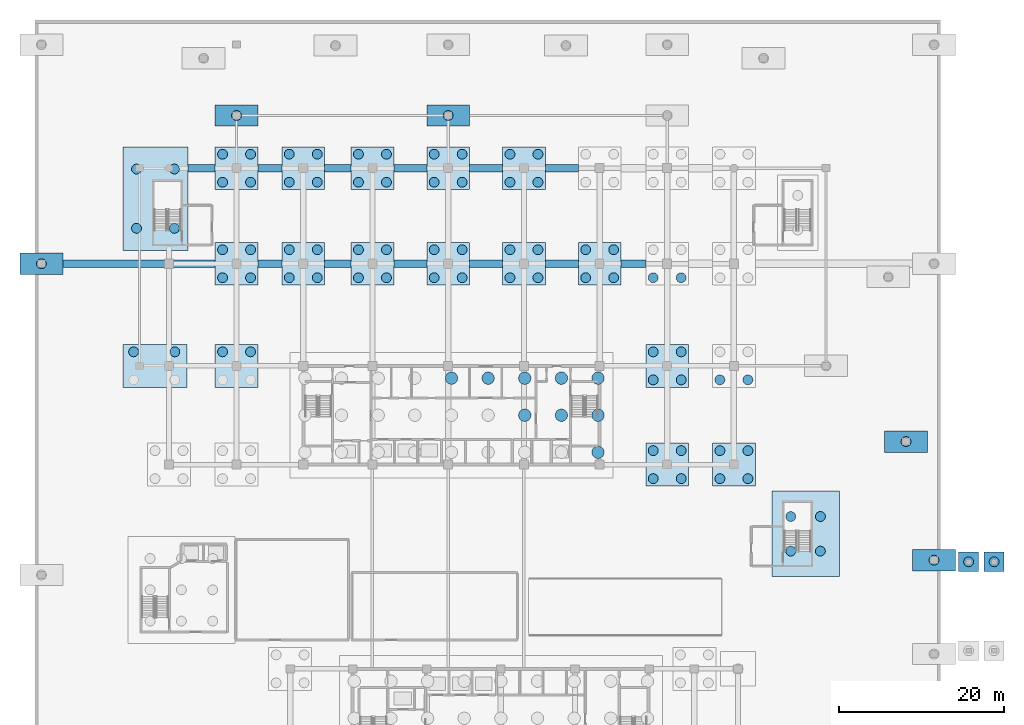
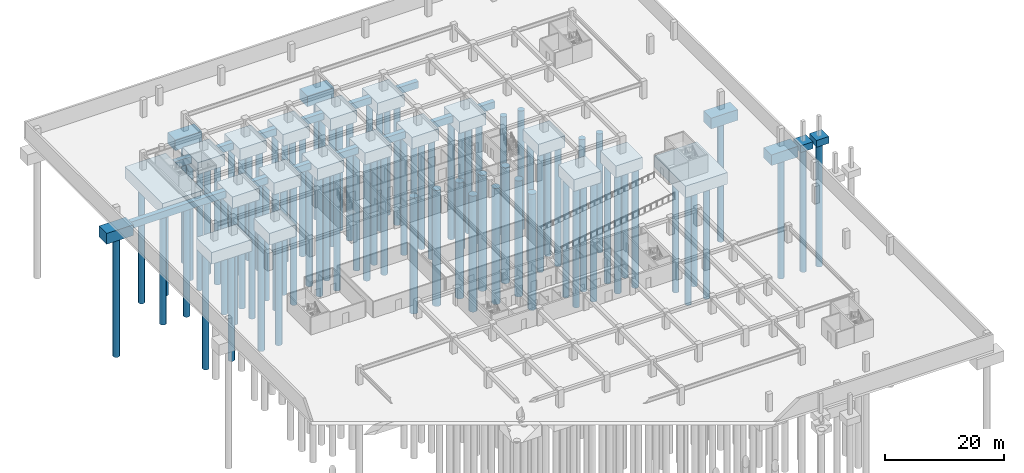
# One storey, part 3 of 26: 88 piles, 38 footings.
"""IFC4 building model written with IfcOpenShell, lengths in metres."""

import ifcopenshell
import ifcopenshell.guid

model = None  # the IFC model being written
_history = None  # IfcOwnerHistory: only IFC2X3 demands one
_inside = {}  # id of a spatial element -> (the spatial element, [elements in it])
_under = {}  # id of a project, library or spatial element -> (it, [spatial elements below it])
_declared = {}  # id of a project -> (the project, [libraries it declares])
_typed = {}  # id of a type object -> (the type object, [elements of that type])
_made_of = {}  # id of a material, layer set ... -> (it, [elements and type objects made of it])


def new_model(schema):
    """Start an empty IFC model of exactly this schema.

    Asked for "IFC4X3", IfcOpenShell would pick the latest addendum, in which some entities
    have other attributes; the version numbers below select the first issue.
    IFC2X3 requires an IfcOwnerHistory on every rooted entity: one is made here for all.
    """
    global model, _history
    if schema == "IFC4X3":
        model = ifcopenshell.file(schema_version=(4, 3, 0, 0))
    else:
        model = ifcopenshell.file(schema=schema)
    _inside.clear()
    _under.clear()
    _declared.clear()
    _typed.clear()
    _made_of.clear()
    _history = None
    if model.schema == "IFC2X3":
        org = make("IfcOrganization", Name="unknown")
        user = make(
            "IfcPersonAndOrganization",
            ThePerson=make("IfcPerson", FamilyName="unknown"),
            TheOrganization=org,
        )
        app = make(
            "IfcApplication",
            ApplicationDeveloper=org,
            Version="unknown",
            ApplicationFullName="unknown",
            ApplicationIdentifier="unknown",
        )
        _history = make(
            "IfcOwnerHistory",
            OwningUser=user,
            OwningApplication=app,
            ChangeAction="ADDED",
            CreationDate=0,
        )
    return model


def make(cls, **values):
    """One entity of the class cls with the attributes given. An attribute that is None is left unset."""
    return model.create_entity(
        cls, **{name: value for name, value in values.items() if value is not None}
    )


def rooted(cls, **values):
    """An entity with a GlobalId (a new one), such as an element, a storey or a relation."""
    return make(cls, GlobalId=ifcopenshell.guid.new(), OwnerHistory=_history, **values)


def si_unit(unit_type, name, prefix=None):
    """IfcSIUnit, for example si_unit("LENGTHUNIT", "METRE", prefix="MILLI")."""
    return make("IfcSIUnit", UnitType=unit_type, Prefix=prefix, Name=name)


def assignment(units):
    """IfcUnitAssignment: the units of a project."""
    return None if units is None else make("IfcUnitAssignment", Units=units)


def point(xyz):
    """IfcCartesianPoint."""
    return None if xyz is None else make("IfcCartesianPoint", Coordinates=xyz)


def direction(xyz):
    """IfcDirection."""
    return None if xyz is None else make("IfcDirection", DirectionRatios=xyz)


def frame(location, z_axis=None, x_axis=None):
    """IfcAxis2Placement3D, a coordinate frame: its origin and axes. An axis left out is left unset."""
    return make(
        "IfcAxis2Placement3D",
        Location=point(location),
        Axis=direction(z_axis),
        RefDirection=direction(x_axis),
    )


def frame_2d(location, x_axis=None):
    """IfcAxis2Placement2D, a coordinate frame in the plane: its origin and x axis."""
    return make(
        "IfcAxis2Placement2D", Location=point(location), RefDirection=direction(x_axis)
    )


def origin():
    """The frame at (0, 0, 0) with its axes left unset."""
    return frame((0.0, 0.0, 0.0))


def origin_2d():
    """The frame at (0, 0) in the plane with its x axis left unset."""
    return frame_2d((0.0, 0.0))


def place(relative_to, where):
    """IfcLocalPlacement: puts the frame where relative to a parent placement (None: the world)."""
    return make(
        "IfcLocalPlacement", PlacementRelTo=relative_to, RelativePlacement=where
    )


def context(
    kind, dimensions, precision=None, world=None, true_north=None, identifier=None
):
    """IfcGeometricRepresentationContext, for example the 3D "Model" context."""
    return make(
        "IfcGeometricRepresentationContext",
        ContextIdentifier=identifier,
        ContextType=kind,
        CoordinateSpaceDimension=dimensions,
        Precision=precision,
        WorldCoordinateSystem=world,
        TrueNorth=true_north,
    )


def subcontext(parent, identifier, kind, view, scale=None):
    """IfcGeometricRepresentationSubContext, for example "Body" below "Model"."""
    return make(
        "IfcGeometricRepresentationSubContext",
        ContextIdentifier=identifier,
        ContextType=kind,
        ParentContext=parent,
        TargetScale=scale,
        TargetView=view,
    )


def project(units=None, contexts=None):
    """IfcProject with its units and contexts."""
    return rooted(
        "IfcProject",
        Name="project",
        RepresentationContexts=contexts,
        UnitsInContext=assignment(units),
    )


def spatial(cls, under=None, at=None, **own):
    """A site, building, storey or space (cls), placed at a placement, below another one or the project."""
    s = rooted(cls, ObjectPlacement=at, **own)
    if under is not None:
        _under.setdefault(under.id(), (under, []))[1].append(s)
    return s


def polyline(points):
    """IfcPolyline through the points."""
    return make("IfcPolyline", Points=[point(p) for p in points])


def profile(cls, at=None, kind="AREA", **sizes):
    """A parametric profile (cls). Its sizes go by their IFC names, for example OverallWidth=200.0."""
    return make(cls, ProfileType=kind, Position=at, **sizes)


def circle(**sizes):
    """IfcCircleProfileDef."""
    return profile("IfcCircleProfileDef", **sizes)


def outline(outer, holes=None, kind="AREA"):
    """IfcArbitraryClosedProfileDef: a profile drawn as a closed curve; with holes, ...WithVoids."""
    if holes is None:
        return make("IfcArbitraryClosedProfileDef", ProfileType=kind, OuterCurve=outer)
    return make(
        "IfcArbitraryProfileDefWithVoids",
        ProfileType=kind,
        OuterCurve=outer,
        InnerCurves=holes,
    )


def extrude(swept, where, along, depth):
    """IfcExtrudedAreaSolid: the profile swept, set in the frame where, extruded along a direction by depth."""
    return make(
        "IfcExtrudedAreaSolid",
        SweptArea=swept,
        Position=where,
        ExtrudedDirection=direction(along),
        Depth=depth,
    )


def shape(context_of_items, identifier, shape_type, items):
    """IfcShapeRepresentation: the items that make up one representation, for example the "Body"."""
    return make(
        "IfcShapeRepresentation",
        ContextOfItems=context_of_items,
        RepresentationIdentifier=identifier,
        RepresentationType=shape_type,
        Items=items,
    )


def material(Name=None, Category=None):
    """IfcMaterial."""
    return make("IfcMaterial", Name=Name, Category=Category)


def layer(
    of_material, thickness, ventilated=None, Name=None, Category=None, Priority=None
):
    """IfcMaterialLayer: one layer of a wall or slab, of a material (None: an air gap)."""
    return make(
        "IfcMaterialLayer",
        Material=of_material,
        LayerThickness=thickness,
        IsVentilated=ventilated,
        Name=Name,
        Category=Category,
        Priority=Priority,
    )


def layer_set(layers, Name=None):
    """IfcMaterialLayerSet."""
    return make("IfcMaterialLayerSet", MaterialLayers=layers, LayerSetName=Name)


def material_profile(
    of_material, cross_section, Name=None, Category=None, Priority=None
):
    """IfcMaterialProfile: a cross section and its material."""
    return make(
        "IfcMaterialProfile",
        Name=Name,
        Material=of_material,
        Profile=cross_section,
        Priority=Priority,
        Category=Category,
    )


def profile_set(profiles, Name=None, composite=None):
    """IfcMaterialProfileSet."""
    return make(
        "IfcMaterialProfileSet",
        Name=Name,
        MaterialProfiles=profiles,
        CompositeProfile=composite,
    )


def made_of(thing, what):
    """Note that an element or type object is made of a material, layer set ...; save() writes the relation."""
    if what is not None:
        _made_of.setdefault(what.id(), (what, []))[1].append(thing)
    return thing


def type_object(cls, material=None, **own):
    """A type object (cls), such as IfcWallType, which elements share."""
    return made_of(rooted(cls, **own), material)


def element(
    cls,
    number,
    at=None,
    inside=None,
    cuts=None,
    type_object=None,
    material=None,
    context=None,
    identifier="Body",
    shape_type=None,
    held_by="IfcProductDefinitionShape",
    body=None,
    shapes=None,
    **own,
):
    """One element of the class cls, such as IfcWall. Its Tag is "e" and its number.

    at: its placement. inside: the storey or other place that contains it. cuts: it is an
    opening in that element (IfcRelVoidsElement). A single representation is given by context,
    identifier, shape_type and body (its items); several are given by shapes. held_by: the class
    of the entity that holds the representations. save() writes the other relations.
    """
    e = rooted(cls, Tag="e%d" % number, ObjectPlacement=at, **own)
    if body is not None:
        shapes = [shape(context, identifier, shape_type, body)]
    if shapes is not None:
        e.Representation = make(held_by, Representations=shapes)
    if inside is not None:
        _inside.setdefault(inside.id(), (inside, []))[1].append(e)
    if cuts is not None:
        rooted(
            "IfcRelVoidsElement", RelatingBuildingElement=cuts, RelatedOpeningElement=e
        )
    if type_object is not None:
        _typed.setdefault(type_object.id(), (type_object, []))[1].append(e)
    return made_of(e, material)


def aggregate(whole, parts):
    """IfcRelAggregates: a whole, such as a stair, and the parts it consists of."""
    return rooted("IfcRelAggregates", RelatingObject=whole, RelatedObjects=parts)


def save(model, path):
    """Write the relations noted so far, then the file.

    IfcRelAggregates (storeys below a building ...), IfcRelContainedInSpatialStructure (elements
    in a storey), IfcRelDefinesByType, IfcRelAssociatesMaterial and IfcRelDeclares: one each for
    every whole, place, type object, material and project.
    """
    for whole, parts in _under.values():
        aggregate(whole, parts)
    for where, things in _inside.values():
        rooted(
            "IfcRelContainedInSpatialStructure",
            RelatedElements=things,
            RelatingStructure=where,
        )
    for kind, things in _typed.values():
        rooted("IfcRelDefinesByType", RelatedObjects=things, RelatingType=kind)
    for what, things in _made_of.values():
        rooted("IfcRelAssociatesMaterial", RelatedObjects=things, RelatingMaterial=what)
    for by, libraries in _declared.values():
        rooted("IfcRelDeclares", RelatingContext=by, RelatedDefinitions=libraries)
    model.write(path)


model = new_model("IFC4")

# Units and contexts
model_context = context("Model", 3, precision=1e-05, world=origin(), true_north=direction((0.0, 1.0)))
body_context = subcontext(model_context, "Body", "Model", "MODEL_VIEW")
ifc_project = project(units=[si_unit("LENGTHUNIT", "METRE"), si_unit("AREAUNIT", "SQUARE_METRE"), si_unit("VOLUMEUNIT", "CUBIC_METRE"), si_unit("PLANEANGLEUNIT", "RADIAN"), si_unit("MASSUNIT", "GRAM", prefix="KILO")], contexts=[model_context])

# Site, building, storey
site_placement = place(None, origin())
site = spatial("IfcSite", under=ifc_project, at=site_placement, CompositionType="ELEMENT")
building_placement = place(site_placement, origin())
building = spatial("IfcBuilding", under=site, at=building_placement, Name="Korimba Cascade Residences", CompositionType="ELEMENT")
storey_placement = place(building_placement, frame((0.0, 0.0, -10.800048828125)))
storey = spatial("IfcBuildingStorey", under=building, at=storey_placement, Name="B03", CompositionType="ELEMENT", Elevation=-10.800048828125)

# Footings
ifc_material = material(Name="Concrete C50/60", Category="concrete")
ifc_layer_1 = layer(ifc_material, 1.39990234375)
ifc_layer_set_1 = layer_set([ifc_layer_1], Name="Concrete C50/60")
footing_type_1 = type_object("IfcFootingType", Name="GB-900X1400", PredefinedType="FOOTING_BEAM", material=ifc_layer_set_1)
footing_1_placement = place(storey_placement, frame((0.0, 0.0, -1.849853515625)))
element("IfcFooting", 1, at=footing_1_placement, inside=storey, type_object=footing_type_1, Name="Ground Tie Beam GB-001", PredefinedType="FOOTING_BEAM", context=body_context, shape_type="SweptSolid", body=[
    extrude(outline(polyline([(46.89990234375, 79.14990234375), (65.39990234375, 79.14990234375), (65.39990234375, 80.050048828125), (46.89990234375, 80.050048828125), (46.89990234375, 79.14990234375)])), origin(), (0.0, 0.0, 1.0), 1.39990234375),
])
footing_2_placement = place(storey_placement, frame((0.0, 0.0, -1.849853515625)))
element("IfcFooting", 2, at=footing_2_placement, inside=storey, type_object=footing_type_1, Name="Ground Tie Beam GB-002", PredefinedType="FOOTING_BEAM", context=body_context, shape_type="SweptSolid", body=[
    extrude(outline(polyline([(70.60009765625, 79.14990234375), (73.5, 79.14990234375), (73.5, 80.050048828125), (70.60009765625, 80.050048828125), (70.60009765625, 79.14990234375)])), origin(), (0.0, 0.0, 1.0), 1.39990234375),
])
footing_3_placement = place(storey_placement, frame((0.0, 0.0, -1.849853515625)))
element("IfcFooting", 3, at=footing_3_placement, inside=storey, type_object=footing_type_1, Name="Ground Tie Beam GB-003", PredefinedType="FOOTING_BEAM", context=body_context, shape_type="SweptSolid", body=[
    extrude(outline(polyline([(78.699951171875, 79.14990234375), (81.89990234375, 79.14990234375), (81.89990234375, 80.050048828125), (78.699951171875, 80.050048828125), (78.699951171875, 79.14990234375)])), origin(), (0.0, 0.0, 1.0), 1.39990234375),
])
footing_4_placement = place(storey_placement, frame((0.0, 0.0, -1.849853515625)))
element("IfcFooting", 4, at=footing_4_placement, inside=storey, type_object=footing_type_1, Name="Ground Tie Beam GB-004", PredefinedType="FOOTING_BEAM", context=body_context, shape_type="SweptSolid", body=[
    extrude(outline(polyline([(87.10009765625, 79.14990234375), (91.10009765625, 79.14990234375), (91.10009765625, 80.050048828125), (87.10009765625, 80.050048828125), (87.10009765625, 79.14990234375)])), origin(), (0.0, 0.0, 1.0), 1.39990234375),
])
footing_5_placement = place(storey_placement, frame((0.0, 0.0, -1.849853515625)))
element("IfcFooting", 5, at=footing_5_placement, inside=storey, type_object=footing_type_1, Name="Ground Tie Beam GB-005", PredefinedType="FOOTING_BEAM", context=body_context, shape_type="SweptSolid", body=[
    extrude(outline(polyline([(96.300048828125, 79.14990234375), (100.300048828125, 79.14990234375), (100.300048828125, 80.050048828125), (96.300048828125, 80.050048828125), (96.300048828125, 79.14990234375)])), origin(), (0.0, 0.0, 1.0), 1.39990234375),
])
footing_6_placement = place(storey_placement, frame((0.0, 0.0, -1.849853515625)))
element("IfcFooting", 6, at=footing_6_placement, inside=storey, type_object=footing_type_1, Name="Ground Tie Beam GB-006", PredefinedType="FOOTING_BEAM", context=body_context, shape_type="SweptSolid", body=[
    extrude(outline(polyline([(105.5, 79.14990234375), (109.5, 79.14990234375), (109.5, 80.050048828125), (105.5, 80.050048828125), (105.5, 79.14990234375)])), origin(), (0.0, 0.0, 1.0), 1.39990234375),
])
footing_7_placement = place(storey_placement, frame((0.0, 0.0, -1.849853515625)))
element("IfcFooting", 7, at=footing_7_placement, inside=storey, type_object=footing_type_1, Name="Ground Tie Beam GB-007", PredefinedType="FOOTING_BEAM", context=body_context, shape_type="SweptSolid", body=[
    extrude(outline(polyline([(114.699951171875, 79.14990234375), (117.699951171875, 79.14990234375), (117.699951171875, 80.050048828125), (114.699951171875, 80.050048828125), (114.699951171875, 79.14990234375)])), origin(), (0.0, 0.0, 1.0), 1.39990234375),
])
footing_8_placement = place(storey_placement, frame((0.0, 0.0, -1.849853515625)))
element("IfcFooting", 8, at=footing_8_placement, inside=storey, type_object=footing_type_1, Name="Ground Tie Beam GB-010", PredefinedType="FOOTING_BEAM", context=body_context, shape_type="SweptSolid", body=[
    extrude(outline(polyline([(62.10009765625, 90.75), (65.39990234375, 90.75), (65.39990234375, 91.64990234375), (62.10009765625, 91.64990234375), (62.10009765625, 90.75)])), origin(), (0.0, 0.0, 1.0), 1.39990234375),
])
footing_9_placement = place(storey_placement, frame((0.0, 0.0, -1.849853515625)))
element("IfcFooting", 9, at=footing_9_placement, inside=storey, type_object=footing_type_1, Name="Ground Tie Beam GB-011", PredefinedType="FOOTING_BEAM", context=body_context, shape_type="SweptSolid", body=[
    extrude(outline(polyline([(70.60009765625, 90.75), (73.5, 90.75), (73.5, 91.64990234375), (70.60009765625, 91.64990234375), (70.60009765625, 90.75)])), origin(), (0.0, 0.0, 1.0), 1.39990234375),
])
footing_10_placement = place(storey_placement, frame((0.0, 0.0, -1.849853515625)))
element("IfcFooting", 10, at=footing_10_placement, inside=storey, type_object=footing_type_1, Name="Ground Tie Beam GB-012", PredefinedType="FOOTING_BEAM", context=body_context, shape_type="SweptSolid", body=[
    extrude(outline(polyline([(78.699951171875, 90.75), (81.89990234375, 90.75), (81.89990234375, 91.64990234375), (78.699951171875, 91.64990234375), (78.699951171875, 90.75)])), origin(), (0.0, 0.0, 1.0), 1.39990234375),
])
footing_11_placement = place(storey_placement, frame((0.0, 0.0, -1.849853515625)))
element("IfcFooting", 11, at=footing_11_placement, inside=storey, type_object=footing_type_1, Name="Ground Tie Beam GB-013", PredefinedType="FOOTING_BEAM", context=body_context, shape_type="SweptSolid", body=[
    extrude(outline(polyline([(87.10009765625, 90.75), (91.10009765625, 90.75), (91.10009765625, 91.64990234375), (87.10009765625, 91.64990234375), (87.10009765625, 90.75)])), origin(), (0.0, 0.0, 1.0), 1.39990234375),
])
footing_12_placement = place(storey_placement, frame((0.0, 0.0, -1.849853515625)))
element("IfcFooting", 12, at=footing_12_placement, inside=storey, type_object=footing_type_1, Name="Ground Tie Beam GB-014", PredefinedType="FOOTING_BEAM", context=body_context, shape_type="SweptSolid", body=[
    extrude(outline(polyline([(96.300048828125, 90.75), (100.300048828125, 90.75), (100.300048828125, 91.64990234375), (96.300048828125, 91.64990234375), (96.300048828125, 90.75)])), origin(), (0.0, 0.0, 1.0), 1.39990234375),
])
footing_13_placement = place(storey_placement, frame((0.0, 0.0, -1.849853515625)))
element("IfcFooting", 13, at=footing_13_placement, inside=storey, type_object=footing_type_1, Name="Ground Tie Beam GB-015", PredefinedType="FOOTING_BEAM", context=body_context, shape_type="SweptSolid", body=[
    extrude(outline(polyline([(105.5, 90.75), (109.5, 90.75), (109.5, 91.64990234375), (105.5, 91.64990234375), (105.5, 90.75)])), origin(), (0.0, 0.0, 1.0), 1.39990234375),
])
ifc_layer_2 = layer(ifc_material, 1.39990234375)
ifc_layer_set_2 = layer_set([ifc_layer_2], Name="Concrete C50/60")
footing_type_2 = type_object("IfcFootingType", Name="PAD-CANOPY", PredefinedType="PAD_FOOTING", material=ifc_layer_set_2)
footing_14_placement = place(storey_placement, frame((0.0, 0.0, -1.849853515625)))
element("IfcFooting", 14, at=footing_14_placement, inside=storey, type_object=footing_type_2, Name="Plaza Pad Footing APR2", PredefinedType="PAD_FOOTING", context=body_context, shape_type="SweptSolid", body=[
    extrude(outline(polyline([(155.699951171875, 42.199951171875), (158.10009765625, 42.199951171875), (158.10009765625, 44.60009765625), (155.699951171875, 44.60009765625), (155.699951171875, 42.199951171875)])), origin(), (0.0, 0.0, 1.0), 1.39990234375),
])
footing_15_placement = place(storey_placement, frame((0.0, 0.0, -1.849853515625)))
element("IfcFooting", 15, at=footing_15_placement, inside=storey, type_object=footing_type_2, Name="Plaza Pad Footing APR4", PredefinedType="PAD_FOOTING", context=body_context, shape_type="SweptSolid", body=[
    extrude(outline(polyline([(158.800048828125, 42.199951171875), (161.199951171875, 42.199951171875), (161.199951171875, 44.60009765625), (158.800048828125, 44.60009765625), (158.800048828125, 42.199951171875)])), origin(), (0.0, 0.0, 1.0), 1.39990234375),
])
ifc_layer_3 = layer(ifc_material, 2.199951171875)
ifc_layer_set_3 = layer_set([ifc_layer_3], Name="Concrete C50/60")
footing_type_3 = type_object("IfcFootingType", Name="PC-2PILE-P", PredefinedType="PILE_CAP", material=ifc_layer_set_3)
footing_16_placement = place(storey_placement, frame((0.0, 0.0, -2.64990234375)))
element("IfcFooting", 16, at=footing_16_placement, inside=storey, type_object=footing_type_3, Name="Column Pile Cap FTG-PC-048", PredefinedType="PILE_CAP", context=body_context, shape_type="SweptSolid", body=[
    extrude(outline(polyline([(65.39990234375, 96.300048828125), (70.60009765625, 96.300048828125), (70.60009765625, 98.89990234375), (65.39990234375, 98.89990234375), (65.39990234375, 96.300048828125)])), origin(), (0.0, 0.0, 1.0), 2.199951171875),
])
footing_17_placement = place(storey_placement, frame((0.0, 0.0, -2.64990234375)))
element("IfcFooting", 17, at=footing_17_placement, inside=storey, type_object=footing_type_3, Name="Column Pile Cap FTG-PC-049", PredefinedType="PILE_CAP", context=body_context, shape_type="SweptSolid", body=[
    extrude(outline(polyline([(91.10009765625, 96.300048828125), (96.300048828125, 96.300048828125), (96.300048828125, 98.89990234375), (91.10009765625, 98.89990234375), (91.10009765625, 96.300048828125)])), origin(), (0.0, 0.0, 1.0), 2.199951171875),
])
footing_18_placement = place(storey_placement, frame((0.0, 0.0, -2.64990234375)))
element("IfcFooting", 18, at=footing_18_placement, inside=storey, type_object=footing_type_3, Name="Column Pile Cap FTG-PC-060", PredefinedType="PILE_CAP", context=body_context, shape_type="SweptSolid", body=[
    extrude(outline(polyline([(146.699951171875, 56.699951171875), (151.89990234375, 56.699951171875), (151.89990234375, 59.300048828125), (146.699951171875, 59.300048828125), (146.699951171875, 56.699951171875)])), origin(), (0.0, 0.0, 1.0), 2.199951171875),
])
footing_19_placement = place(storey_placement, frame((0.0, 0.0, -2.64990234375)))
element("IfcFooting", 19, at=footing_19_placement, inside=storey, type_object=footing_type_3, Name="Column Pile Cap FTG-PC-066", PredefinedType="PILE_CAP", context=body_context, shape_type="SweptSolid", body=[
    extrude(outline(polyline([(41.699951171875, 78.300048828125), (46.89990234375, 78.300048828125), (46.89990234375, 80.89990234375), (41.699951171875, 80.89990234375), (41.699951171875, 78.300048828125)])), origin(), (0.0, 0.0, 1.0), 2.199951171875),
])
footing_20_placement = place(storey_placement, frame((0.0, 0.0, -2.64990234375)))
element("IfcFooting", 20, at=footing_20_placement, inside=storey, type_object=footing_type_3, Name="Column Pile Cap FTG-PC-071", PredefinedType="PILE_CAP", context=body_context, shape_type="SweptSolid", body=[
    extrude(outline(polyline([(150.10009765625, 42.300048828125), (155.300048828125, 42.300048828125), (155.300048828125, 44.89990234375), (150.10009765625, 44.89990234375), (150.10009765625, 42.300048828125)])), origin(), (0.0, 0.0, 1.0), 2.199951171875),
])
ifc_layer_4 = layer(ifc_material, 2.39990234375)
ifc_layer_set_4 = layer_set([ifc_layer_4], Name="Concrete C50/60")
footing_type_4 = type_object("IfcFootingType", Name="PC-4PILE", PredefinedType="PILE_CAP", material=ifc_layer_set_4)
footing_21_placement = place(storey_placement, frame((0.0, 0.0, -2.849853515625)))
element("IfcFooting", 21, at=footing_21_placement, inside=storey, type_object=footing_type_4, Name="Combined Pile Cap FTG-PCC-01", PredefinedType="PILE_CAP", context=body_context, shape_type="SweptSolid", body=[
    extrude(outline(polyline([(54.199951171875, 64.60009765625), (62.0, 64.60009765625), (62.0, 69.800048828125), (54.199951171875, 69.800048828125), (54.199951171875, 64.60009765625)])), origin(), (0.0, 0.0, 1.0), 2.39990234375),
])
footing_22_placement = place(storey_placement, frame((0.0, 0.0, -2.849853515625)))
element("IfcFooting", 22, at=footing_22_placement, inside=storey, type_object=footing_type_4, Name="Column Pile Cap FTG-PC-003", PredefinedType="PILE_CAP", context=body_context, shape_type="SweptSolid", body=[
    extrude(outline(polyline([(65.39990234375, 64.60009765625), (70.60009765625, 64.60009765625), (70.60009765625, 69.800048828125), (65.39990234375, 69.800048828125), (65.39990234375, 64.60009765625)])), origin(), (0.0, 0.0, 1.0), 2.39990234375),
])
footing_23_placement = place(storey_placement, frame((0.0, 0.0, -2.849853515625)))
element("IfcFooting", 23, at=footing_23_placement, inside=storey, type_object=footing_type_4, Name="Column Pile Cap FTG-PC-004", PredefinedType="PILE_CAP", context=body_context, shape_type="SweptSolid", body=[
    extrude(outline(polyline([(65.39990234375, 77.0), (70.60009765625, 77.0), (70.60009765625, 82.199951171875), (65.39990234375, 82.199951171875), (65.39990234375, 77.0)])), origin(), (0.0, 0.0, 1.0), 2.39990234375),
])
footing_24_placement = place(storey_placement, frame((0.0, 0.0, -2.849853515625)))
element("IfcFooting", 24, at=footing_24_placement, inside=storey, type_object=footing_type_4, Name="Column Pile Cap FTG-PC-005", PredefinedType="PILE_CAP", context=body_context, shape_type="SweptSolid", body=[
    extrude(outline(polyline([(65.39990234375, 88.60009765625), (70.60009765625, 88.60009765625), (70.60009765625, 93.800048828125), (65.39990234375, 93.800048828125), (65.39990234375, 88.60009765625)])), origin(), (0.0, 0.0, 1.0), 2.39990234375),
])
footing_25_placement = place(storey_placement, frame((0.0, 0.0, -2.849853515625)))
element("IfcFooting", 25, at=footing_25_placement, inside=storey, type_object=footing_type_4, Name="Column Pile Cap FTG-PC-006", PredefinedType="PILE_CAP", context=body_context, shape_type="SweptSolid", body=[
    extrude(outline(polyline([(73.5, 77.0), (78.699951171875, 77.0), (78.699951171875, 82.199951171875), (73.5, 82.199951171875), (73.5, 77.0)])), origin(), (0.0, 0.0, 1.0), 2.39990234375),
])
footing_26_placement = place(storey_placement, frame((0.0, 0.0, -2.849853515625)))
element("IfcFooting", 26, at=footing_26_placement, inside=storey, type_object=footing_type_4, Name="Column Pile Cap FTG-PC-007", PredefinedType="PILE_CAP", context=body_context, shape_type="SweptSolid", body=[
    extrude(outline(polyline([(73.5, 88.60009765625), (78.699951171875, 88.60009765625), (78.699951171875, 93.800048828125), (73.5, 93.800048828125), (73.5, 88.60009765625)])), origin(), (0.0, 0.0, 1.0), 2.39990234375),
])
footing_27_placement = place(storey_placement, frame((0.0, 0.0, -2.849853515625)))
element("IfcFooting", 27, at=footing_27_placement, inside=storey, type_object=footing_type_4, Name="Column Pile Cap FTG-PC-008", PredefinedType="PILE_CAP", context=body_context, shape_type="SweptSolid", body=[
    extrude(outline(polyline([(81.89990234375, 77.0), (87.10009765625, 77.0), (87.10009765625, 82.199951171875), (81.89990234375, 82.199951171875), (81.89990234375, 77.0)])), origin(), (0.0, 0.0, 1.0), 2.39990234375),
])
footing_28_placement = place(storey_placement, frame((0.0, 0.0, -2.849853515625)))
element("IfcFooting", 28, at=footing_28_placement, inside=storey, type_object=footing_type_4, Name="Column Pile Cap FTG-PC-009", PredefinedType="PILE_CAP", context=body_context, shape_type="SweptSolid", body=[
    extrude(outline(polyline([(81.89990234375, 88.60009765625), (87.10009765625, 88.60009765625), (87.10009765625, 93.800048828125), (81.89990234375, 93.800048828125), (81.89990234375, 88.60009765625)])), origin(), (0.0, 0.0, 1.0), 2.39990234375),
])
footing_29_placement = place(storey_placement, frame((0.0, 0.0, -2.849853515625)))
element("IfcFooting", 29, at=footing_29_placement, inside=storey, type_object=footing_type_4, Name="Column Pile Cap FTG-PC-010", PredefinedType="PILE_CAP", context=body_context, shape_type="SweptSolid", body=[
    extrude(outline(polyline([(91.10009765625, 77.0), (96.300048828125, 77.0), (96.300048828125, 82.199951171875), (91.10009765625, 82.199951171875), (91.10009765625, 77.0)])), origin(), (0.0, 0.0, 1.0), 2.39990234375),
])
footing_30_placement = place(storey_placement, frame((0.0, 0.0, -2.849853515625)))
element("IfcFooting", 30, at=footing_30_placement, inside=storey, type_object=footing_type_4, Name="Column Pile Cap FTG-PC-011", PredefinedType="PILE_CAP", context=body_context, shape_type="SweptSolid", body=[
    extrude(outline(polyline([(91.10009765625, 88.60009765625), (96.300048828125, 88.60009765625), (96.300048828125, 93.800048828125), (91.10009765625, 93.800048828125), (91.10009765625, 88.60009765625)])), origin(), (0.0, 0.0, 1.0), 2.39990234375),
])
footing_31_placement = place(storey_placement, frame((0.0, 0.0, -2.849853515625)))
element("IfcFooting", 31, at=footing_31_placement, inside=storey, type_object=footing_type_4, Name="Column Pile Cap FTG-PC-012", PredefinedType="PILE_CAP", context=body_context, shape_type="SweptSolid", body=[
    extrude(outline(polyline([(100.300048828125, 77.0), (105.5, 77.0), (105.5, 82.199951171875), (100.300048828125, 82.199951171875), (100.300048828125, 77.0)])), origin(), (0.0, 0.0, 1.0), 2.39990234375),
])
footing_32_placement = place(storey_placement, frame((0.0, 0.0, -2.849853515625)))
element("IfcFooting", 32, at=footing_32_placement, inside=storey, type_object=footing_type_4, Name="Column Pile Cap FTG-PC-013", PredefinedType="PILE_CAP", context=body_context, shape_type="SweptSolid", body=[
    extrude(outline(polyline([(100.300048828125, 88.60009765625), (105.5, 88.60009765625), (105.5, 93.800048828125), (100.300048828125, 93.800048828125), (100.300048828125, 88.60009765625)])), origin(), (0.0, 0.0, 1.0), 2.39990234375),
])
footing_33_placement = place(storey_placement, frame((0.0, 0.0, -2.849853515625)))
element("IfcFooting", 33, at=footing_33_placement, inside=storey, type_object=footing_type_4, Name="Column Pile Cap FTG-PC-014", PredefinedType="PILE_CAP", context=body_context, shape_type="SweptSolid", body=[
    extrude(outline(polyline([(109.5, 77.0), (114.699951171875, 77.0), (114.699951171875, 82.199951171875), (109.5, 82.199951171875), (109.5, 77.0)])), origin(), (0.0, 0.0, 1.0), 2.39990234375),
])
footing_34_placement = place(storey_placement, frame((0.0, 0.0, -2.849853515625)))
element("IfcFooting", 34, at=footing_34_placement, inside=storey, type_object=footing_type_4, Name="Column Pile Cap FTG-PC-016", PredefinedType="PILE_CAP", context=body_context, shape_type="SweptSolid", body=[
    extrude(outline(polyline([(117.699951171875, 52.60009765625), (122.89990234375, 52.60009765625), (122.89990234375, 57.800048828125), (117.699951171875, 57.800048828125), (117.699951171875, 52.60009765625)])), origin(), (0.0, 0.0, 1.0), 2.39990234375),
])
footing_35_placement = place(storey_placement, frame((0.0, 0.0, -2.849853515625)))
element("IfcFooting", 35, at=footing_35_placement, inside=storey, type_object=footing_type_4, Name="Column Pile Cap FTG-PC-017", PredefinedType="PILE_CAP", context=body_context, shape_type="SweptSolid", body=[
    extrude(outline(polyline([(117.699951171875, 64.60009765625), (122.89990234375, 64.60009765625), (122.89990234375, 69.800048828125), (117.699951171875, 69.800048828125), (117.699951171875, 64.60009765625)])), origin(), (0.0, 0.0, 1.0), 2.39990234375),
])
footing_36_placement = place(storey_placement, frame((0.0, 0.0, -2.849853515625)))
element("IfcFooting", 36, at=footing_36_placement, inside=storey, type_object=footing_type_4, Name="Column Pile Cap FTG-PC-020", PredefinedType="PILE_CAP", context=body_context, shape_type="SweptSolid", body=[
    extrude(outline(polyline([(125.800048828125, 52.60009765625), (131.0, 52.60009765625), (131.0, 57.800048828125), (125.800048828125, 57.800048828125), (125.800048828125, 52.60009765625)])), origin(), (0.0, 0.0, 1.0), 2.39990234375),
])

# Piles
ifc_material_profile_1 = material_profile(ifc_material, circle(Radius=0.60009765625, at=origin_2d()), Name="Concrete C50/60")
ifc_profile_set_1 = profile_set([ifc_material_profile_1], Name="Concrete C50/60")
pile_type_1 = type_object("IfcPileType", Name="PILE-D1200", PredefinedType="BORED", material=ifc_profile_set_1)
for number, where, z_axis, x_axis, name in (
    (37, (135.300048828125, 44.699951171875, -2.75), (0.0, 0.0, -1.0), (1.0, 0.0, 0.0), "Podium Core Bored Pile PE 1.1"),
    (38, (135.300048828125, 48.89990234375, -2.75), (0.0, 0.0, -1.0), (1.0, 0.0, 0.0), "Podium Core Bored Pile PE 1.2"),
    (39, (138.89990234375, 44.699951171875, -2.75), (0.0, 0.0, -1.0), (1.0, 0.0, 0.0), "Podium Core Bored Pile PE 2.1"),
    (40, (138.89990234375, 48.89990234375, -2.75), (0.0, 0.0, -1.0), (1.0, 0.0, 0.0), "Podium Core Bored Pile PE 2.2"),
    (41, (55.85009765625, 83.89990234375, -2.75), (0.0, 0.0, -1.0), (1.0, 0.0, 0.0), "Podium Core Bored Pile P5 1.1"),
    (42, (55.85009765625, 91.10009765625, -2.75), (0.0, 0.0, -1.0), (1.0, 0.0, 0.0), "Podium Core Bored Pile P5 1.2"),
    (43, (60.449951171875, 83.89990234375, -2.75), (0.0, 0.0, -1.0), (1.0, 0.0, 0.0), "Podium Core Bored Pile P5 2.1"),
    (44, (60.449951171875, 91.10009765625, -2.75), (0.0, 0.0, -1.0), (1.0, 0.0, 0.0), "Podium Core Bored Pile P5 2.2"),
    (45, (55.5, 68.89990234375, -2.75), (0.0, 0.0, -1.0), (1.0, 0.0, 0.0), "Cap Bored Pile FTG-PCC-01.3"),
    (46, (60.5, 68.89990234375, -2.75), (0.0, 0.0, -1.0), (1.0, 0.0, 0.0), "Cap Bored Pile FTG-PCC-01.4"),
    (47, (66.300048828125, 68.89990234375, -2.75), (0.0, 0.0, -1.0), (1.0, 0.0, 0.0), "Cap Bored Pile FTG-PC-003.3"),
    (48, (69.699951171875, 68.89990234375, -2.75), (0.0, 0.0, -1.0), (1.0, 0.0, 0.0), "Cap Bored Pile FTG-PC-003.4"),
    (49, (66.300048828125, 77.89990234375, -2.75), (0.0, 0.0, -1.0), (1.0, 0.0, 0.0), "Cap Bored Pile FTG-PC-004.1"),
    (50, (69.699951171875, 77.89990234375, -2.75), (0.0, 0.0, -1.0), (1.0, 0.0, 0.0), "Cap Bored Pile FTG-PC-004.2"),
    (51, (66.300048828125, 81.300048828125, -2.75), (0.0, 0.0, -1.0), (1.0, 0.0, 0.0), "Cap Bored Pile FTG-PC-004.3"),
    (52, (69.699951171875, 81.300048828125, -2.75), (0.0, 0.0, -1.0), (1.0, 0.0, 0.0), "Cap Bored Pile FTG-PC-004.4"),
    (53, (66.300048828125, 89.5, -2.75), (0.0, 0.0, -1.0), (1.0, 0.0, 0.0), "Cap Bored Pile FTG-PC-005.1"),
    (54, (69.699951171875, 89.5, -2.75), (0.0, 0.0, -1.0), (1.0, 0.0, 0.0), "Cap Bored Pile FTG-PC-005.2"),
    (55, (66.300048828125, 92.89990234375, -2.75), (0.0, 0.0, -1.0), (1.0, 0.0, 0.0), "Cap Bored Pile FTG-PC-005.3"),
    (56, (69.699951171875, 92.89990234375, -2.75), (0.0, 0.0, -1.0), (1.0, 0.0, 0.0), "Cap Bored Pile FTG-PC-005.4"),
    (57, (74.39990234375, 77.89990234375, -2.75), (0.0, 0.0, -1.0), (1.0, 0.0, 0.0), "Cap Bored Pile FTG-PC-006.1"),
    (58, (77.800048828125, 77.89990234375, -2.75), (0.0, 0.0, -1.0), (1.0, 0.0, 0.0), "Cap Bored Pile FTG-PC-006.2"),
    (59, (74.39990234375, 81.300048828125, -2.75), (0.0, 0.0, -1.0), (1.0, 0.0, 0.0), "Cap Bored Pile FTG-PC-006.3"),
    (60, (77.800048828125, 81.300048828125, -2.75), (0.0, 0.0, -1.0), (1.0, 0.0, 0.0), "Cap Bored Pile FTG-PC-006.4"),
    (61, (74.39990234375, 89.5, -2.75), (0.0, 0.0, -1.0), (1.0, 0.0, 0.0), "Cap Bored Pile FTG-PC-007.1"),
    (62, (77.800048828125, 89.5, -2.75), (0.0, 0.0, -1.0), (1.0, 0.0, 0.0), "Cap Bored Pile FTG-PC-007.2"),
    (63, (74.39990234375, 92.89990234375, -2.75), (0.0, 0.0, -1.0), (1.0, 0.0, 0.0), "Cap Bored Pile FTG-PC-007.3"),
    (64, (77.800048828125, 92.89990234375, -2.75), (0.0, 0.0, -1.0), (1.0, 0.0, 0.0), "Cap Bored Pile FTG-PC-007.4"),
    (65, (82.800048828125, 77.89990234375, -2.75), (0.0, 0.0, -1.0), (1.0, 0.0, 0.0), "Cap Bored Pile FTG-PC-008.1"),
    (66, (86.199951171875, 77.89990234375, -2.75), (0.0, 0.0, -1.0), (1.0, 0.0, 0.0), "Cap Bored Pile FTG-PC-008.2"),
    (67, (82.800048828125, 81.300048828125, -2.75), (0.0, 0.0, -1.0), (1.0, 0.0, 0.0), "Cap Bored Pile FTG-PC-008.3"),
    (68, (86.199951171875, 81.300048828125, -2.75), (0.0, 0.0, -1.0), (1.0, 0.0, 0.0), "Cap Bored Pile FTG-PC-008.4"),
    (69, (82.800048828125, 89.5, -2.75), (0.0, 0.0, -1.0), (1.0, 0.0, 0.0), "Cap Bored Pile FTG-PC-009.1"),
    (70, (86.199951171875, 89.5, -2.75), (0.0, 0.0, -1.0), (1.0, 0.0, 0.0), "Cap Bored Pile FTG-PC-009.2"),
    (71, (82.800048828125, 92.89990234375, -2.75), (0.0, 0.0, -1.0), (1.0, 0.0, 0.0), "Cap Bored Pile FTG-PC-009.3"),
    (72, (86.199951171875, 92.89990234375, -2.75), (0.0, 0.0, -1.0), (1.0, 0.0, 0.0), "Cap Bored Pile FTG-PC-009.4"),
    (73, (92.0, 77.89990234375, -2.75), (0.0, 0.0, -1.0), (1.0, 0.0, 0.0), "Cap Bored Pile FTG-PC-010.1"),
    (74, (95.39990234375, 77.89990234375, -2.75), (0.0, 0.0, -1.0), (1.0, 0.0, 0.0), "Cap Bored Pile FTG-PC-010.2"),
    (75, (92.0, 81.300048828125, -2.75), (0.0, 0.0, -1.0), (1.0, 0.0, 0.0), "Cap Bored Pile FTG-PC-010.3"),
    (76, (95.39990234375, 81.300048828125, -2.75), (0.0, 0.0, -1.0), (1.0, 0.0, 0.0), "Cap Bored Pile FTG-PC-010.4"),
    (77, (92.0, 89.5, -2.75), (0.0, 0.0, -1.0), (1.0, 0.0, 0.0), "Cap Bored Pile FTG-PC-011.1"),
    (78, (95.39990234375, 89.5, -2.75), (0.0, 0.0, -1.0), (1.0, 0.0, 0.0), "Cap Bored Pile FTG-PC-011.2"),
    (79, (92.0, 92.89990234375, -2.75), (0.0, 0.0, -1.0), (1.0, 0.0, 0.0), "Cap Bored Pile FTG-PC-011.3"),
    (80, (95.39990234375, 92.89990234375, -2.75), (0.0, 0.0, -1.0), (1.0, 0.0, 0.0), "Cap Bored Pile FTG-PC-011.4"),
    (81, (101.199951171875, 77.89990234375, -2.75), (0.0, 0.0, -1.0), (1.0, 0.0, 0.0), "Cap Bored Pile FTG-PC-012.1"),
    (82, (104.60009765625, 77.89990234375, -2.75), (0.0, 0.0, -1.0), (1.0, 0.0, 0.0), "Cap Bored Pile FTG-PC-012.2"),
    (83, (101.199951171875, 81.300048828125, -2.75), (0.0, 0.0, -1.0), (1.0, 0.0, 0.0), "Cap Bored Pile FTG-PC-012.3"),
    (84, (104.60009765625, 81.300048828125, -2.75), (0.0, 0.0, -1.0), (1.0, 0.0, 0.0), "Cap Bored Pile FTG-PC-012.4"),
    (85, (101.199951171875, 89.5, -2.75), (0.0, 0.0, -1.0), (1.0, 0.0, 0.0), "Cap Bored Pile FTG-PC-013.1"),
    (86, (104.60009765625, 89.5, -2.75), (0.0, 0.0, -1.0), (1.0, 0.0, 0.0), "Cap Bored Pile FTG-PC-013.2"),
    (87, (101.199951171875, 92.89990234375, -2.75), (0.0, 0.0, -1.0), (1.0, 0.0, 0.0), "Cap Bored Pile FTG-PC-013.3"),
    (88, (104.60009765625, 92.89990234375, -2.75), (0.0, 0.0, -1.0), (1.0, 0.0, 0.0), "Cap Bored Pile FTG-PC-013.4"),
    (89, (110.39990234375, 77.89990234375, -2.75), (0.0, 0.0, -1.0), (1.0, 0.0, 0.0), "Cap Bored Pile FTG-PC-014.1"),
    (90, (113.800048828125, 77.89990234375, -2.75), (0.0, 0.0, -1.0), (1.0, 0.0, 0.0), "Cap Bored Pile FTG-PC-014.2"),
    (91, (110.39990234375, 81.300048828125, -2.75), (0.0, 0.0, -1.0), (1.0, 0.0, 0.0), "Cap Bored Pile FTG-PC-014.3"),
    (92, (113.800048828125, 81.300048828125, -2.75), (0.0, 0.0, -1.0), (1.0, 0.0, 0.0), "Cap Bored Pile FTG-PC-014.4"),
    (93, (118.60009765625, 53.5, -2.75), (0.0, 0.0, -1.0), (1.0, 0.0, 0.0), "Cap Bored Pile FTG-PC-016.1"),
    (94, (122.0, 53.5, -2.75), (0.0, 0.0, -1.0), (1.0, 0.0, 0.0), "Cap Bored Pile FTG-PC-016.2"),
    (95, (118.60009765625, 56.89990234375, -2.75), (0.0, 0.0, -1.0), (1.0, 0.0, 0.0), "Cap Bored Pile FTG-PC-016.3"),
    (96, (122.0, 56.89990234375, -2.75), (0.0, 0.0, -1.0), (1.0, 0.0, 0.0), "Cap Bored Pile FTG-PC-016.4"),
    (97, (118.60009765625, 65.5, -2.75), (0.0, 0.0, -1.0), (1.0, 0.0, 0.0), "Cap Bored Pile FTG-PC-017.1"),
    (98, (122.0, 65.5, -2.75), (0.0, 0.0, -1.0), (1.0, 0.0, 0.0), "Cap Bored Pile FTG-PC-017.2"),
    (99, (118.60009765625, 68.89990234375, -2.75), (0.0, 0.0, -1.0), (1.0, 0.0, 0.0), "Cap Bored Pile FTG-PC-017.3"),
    (100, (122.0, 68.89990234375, -2.75), (0.0, 0.0, -1.0), (1.0, 0.0, 0.0), "Cap Bored Pile FTG-PC-017.4"),
    (101, (118.60009765625, 77.89990234375, -2.75), (0.0, 0.0, -1.0), (1.0, 0.0, 0.0), "Cap Bored Pile FTG-PC-018.1"),
    (102, (122.0, 77.89990234375, -2.75), (0.0, 0.0, -1.0), (1.0, 0.0, 0.0), "Cap Bored Pile FTG-PC-018.2"),
    (103, (126.699951171875, 53.5, -2.75), (0.0, 0.0, -1.0), (1.0, 0.0, 0.0), "Cap Bored Pile FTG-PC-020.1"),
    (104, (130.10009765625, 53.5, -2.75), (0.0, 0.0, -1.0), (1.0, 0.0, 0.0), "Cap Bored Pile FTG-PC-020.2"),
    (105, (126.699951171875, 56.89990234375, -2.75), (0.0, 0.0, -1.0), (1.0, 0.0, 0.0), "Cap Bored Pile FTG-PC-020.3"),
    (106, (130.10009765625, 56.89990234375, -2.75), (0.0, 0.0, -1.0), (1.0, 0.0, 0.0), "Cap Bored Pile FTG-PC-020.4"),
    (107, (126.699951171875, 65.5, -2.75), (0.0, 0.0, -1.0), (1.0, 0.0, 0.0), "Cap Bored Pile FTG-PC-021.1"),
    (108, (130.10009765625, 65.5, -2.75), (0.0, 0.0, -1.0), (1.0, 0.0, 0.0), "Cap Bored Pile FTG-PC-021.2"),
):
    element("IfcPile", number, at=place(storey_placement, frame(where, z_axis=z_axis, x_axis=x_axis)), inside=storey, type_object=pile_type_1, Name=name, PredefinedType="BORED", context=body_context, shape_type="SweptSolid", body=[
        extrude(circle(Radius=0.60009765625, at=origin_2d()), origin(), (0.0, 0.0, 1.0), 24.449951171875),
    ])
for number, where, z_axis, x_axis, name in (
    (109, (68.0, 97.60009765625, -2.550048828125), (0.0, 0.0, -1.0), (1.0, 0.0, 0.0), "Cap Bored Pile FTG-PC-048.1"),
    (110, (93.699951171875, 97.60009765625, -2.550048828125), (0.0, 0.0, -1.0), (1.0, 0.0, 0.0), "Cap Bored Pile FTG-PC-049.1"),
    (111, (149.300048828125, 58.0, -2.550048828125), (0.0, 0.0, -1.0), (1.0, 0.0, 0.0), "Cap Bored Pile FTG-PC-060.1"),
    (112, (44.300048828125, 79.60009765625, -2.550048828125), (0.0, 0.0, -1.0), (1.0, 0.0, 0.0), "Cap Bored Pile FTG-PC-066.1"),
    (113, (152.699951171875, 43.60009765625, -2.550048828125), (0.0, 0.0, -1.0), (1.0, 0.0, 0.0), "Cap Bored Pile FTG-PC-071.1"),
):
    element("IfcPile", number, at=place(storey_placement, frame(where, z_axis=z_axis, x_axis=x_axis)), inside=storey, type_object=pile_type_1, Name=name, PredefinedType="BORED", context=body_context, shape_type="SweptSolid", body=[
        extrude(circle(Radius=0.60009765625, at=origin_2d()), origin(), (0.0, 0.0, 1.0), 24.64990234375),
    ])
for number, where, z_axis, x_axis, name in (
    (114, (156.89990234375, 43.39990234375, -1.75), (0.0, 0.0, -1.0), (1.0, 0.0, 0.0), "Plaza Pile APR2"),
    (115, (160.0, 43.39990234375, -1.75), (0.0, 0.0, -1.0), (1.0, 0.0, 0.0), "Plaza Pile APR4"),
):
    element("IfcPile", number, at=place(storey_placement, frame(where, z_axis=z_axis, x_axis=x_axis)), inside=storey, type_object=pile_type_1, Name=name, PredefinedType="BORED", context=body_context, shape_type="SweptSolid", body=[
        extrude(circle(Radius=0.60009765625, at=origin_2d()), origin(), (0.0, 0.0, 1.0), 25.449951171875),
    ])
ifc_material_profile_2 = material_profile(ifc_material, circle(Radius=0.75, at=origin_2d()), Name="Concrete C50/60")
ifc_profile_set_2 = profile_set([ifc_material_profile_2], Name="Concrete C50/60")
pile_type_2 = type_object("IfcPileType", Name="PILE-D1500", PredefinedType="BORED", material=ifc_profile_set_2)
for number, where, z_axis, x_axis, name in (
    (116, (94.10009765625, 65.699951171875, -3.349853515625), (0.0, 0.0, -1.0), (1.0, 0.0, 0.0), "Core Bored Pile CR-W 15"),
    (117, (98.550048828125, 65.699951171875, -3.349853515625), (0.0, 0.0, -1.0), (1.0, 0.0, 0.0), "Core Bored Pile CR-W 18"),
    (118, (103.0, 61.199951171875, -3.349853515625), (0.0, 0.0, -1.0), (1.0, 0.0, 0.0), "Core Bored Pile CR-W 20"),
    (119, (103.0, 65.699951171875, -3.349853515625), (0.0, 0.0, -1.0), (1.0, 0.0, 0.0), "Core Bored Pile CR-W 21"),
    (120, (107.449951171875, 61.199951171875, -3.349853515625), (0.0, 0.0, -1.0), (1.0, 0.0, 0.0), "Core Bored Pile CR-W 23"),
    (121, (107.449951171875, 65.699951171875, -3.349853515625), (0.0, 0.0, -1.0), (1.0, 0.0, 0.0), "Core Bored Pile CR-W 24"),
    (122, (111.89990234375, 56.699951171875, -3.349853515625), (0.0, 0.0, -1.0), (1.0, 0.0, 0.0), "Core Bored Pile CR-W 25"),
    (123, (111.89990234375, 61.199951171875, -3.349853515625), (0.0, 0.0, -1.0), (1.0, 0.0, 0.0), "Core Bored Pile CR-W 26"),
    (124, (111.89990234375, 65.699951171875, -3.349853515625), (0.0, 0.0, -1.0), (1.0, 0.0, 0.0), "Core Bored Pile CR-W 27"),
):
    element("IfcPile", number, at=place(storey_placement, frame(where, z_axis=z_axis, x_axis=x_axis)), inside=storey, type_object=pile_type_2, Name=name, PredefinedType="BORED", context=body_context, shape_type="SweptSolid", body=[
        extrude(circle(Radius=0.75, at=origin_2d()), origin(), (0.0, 0.0, 1.0), 23.85009765625),
    ])

# Footings
ifc_layer_5 = layer(ifc_material, 2.39990234375)
ifc_layer_set_5 = layer_set([ifc_layer_5], Name="Concrete C50/60")
footing_type_5 = type_object("IfcFootingType", Name="RAFT-POD-E", PredefinedType="PILE_CAP", material=ifc_layer_set_5)
footing_37_placement = place(storey_placement, frame((0.0, 0.0, -2.849853515625)))
element("IfcFooting", 125, at=footing_37_placement, inside=storey, type_object=footing_type_5, Name="Piled Raft CR-PE", PredefinedType="PILE_CAP", context=body_context, shape_type="SweptSolid", body=[
    extrude(outline(polyline([(133.0, 41.60009765625), (141.199951171875, 41.60009765625), (141.199951171875, 52.0), (133.0, 52.0), (133.0, 41.60009765625)])), origin(), (0.0, 0.0, 1.0), 2.39990234375),
])
footing_38_placement = place(storey_placement, frame((0.0, 0.0, -2.849853515625)))
element("IfcFooting", 126, at=footing_38_placement, inside=storey, type_object=footing_type_5, Name="Piled Raft CR-P5", PredefinedType="PILE_CAP", context=body_context, shape_type="SweptSolid", body=[
    extrude(outline(polyline([(54.199951171875, 81.199951171875), (62.10009765625, 81.199951171875), (62.10009765625, 93.800048828125), (54.199951171875, 93.800048828125), (54.199951171875, 81.199951171875)])), origin(), (0.0, 0.0, 1.0), 2.39990234375),
])

save(model, "model.ifc")
